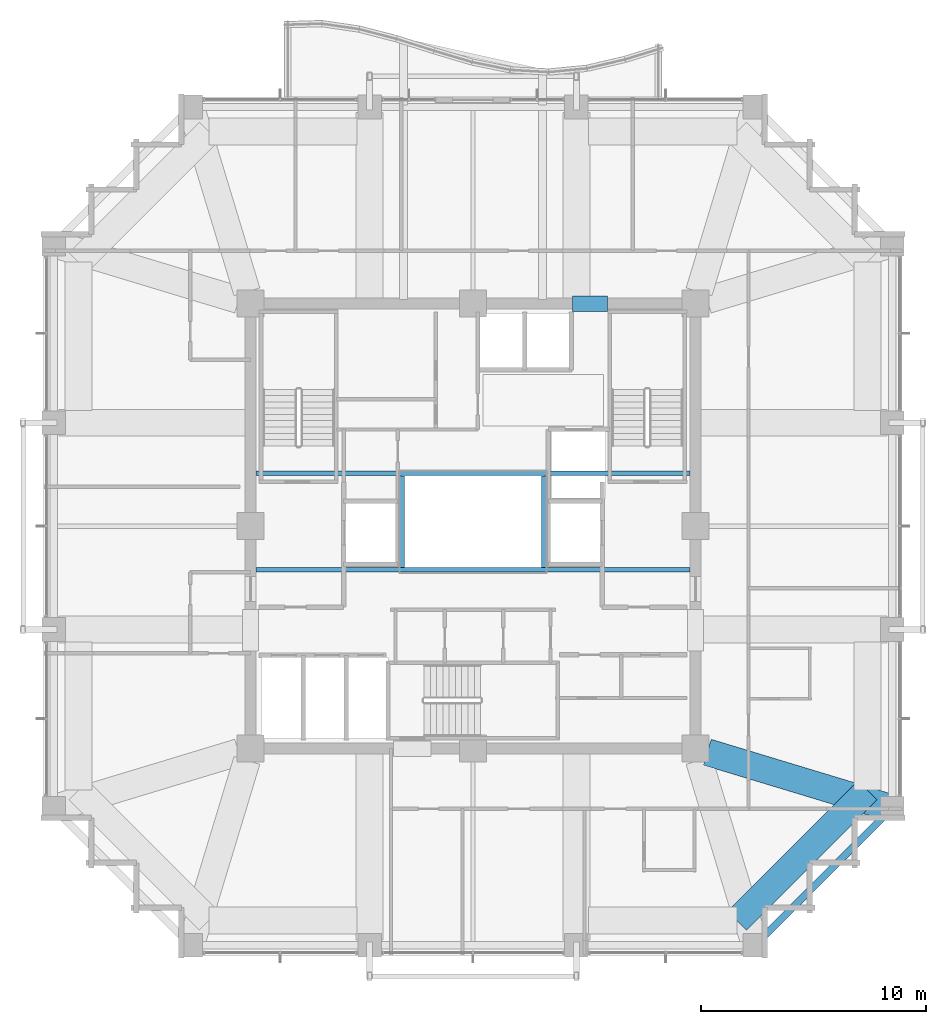
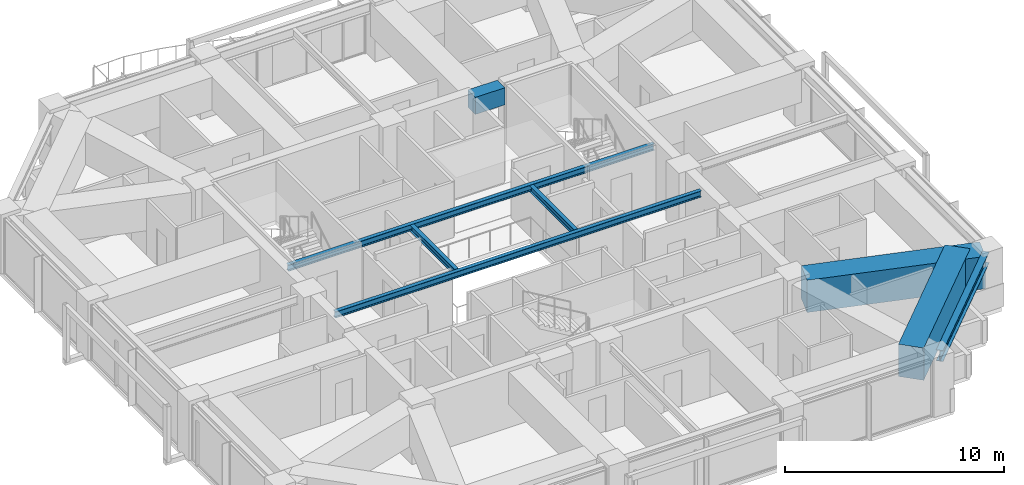
# One storey, part 10 of 28: 8 beams.
"""IFC4 building model written with IfcOpenShell, lengths in metres."""

from ifc_helpers import new_model, si_unit, direction, frame, origin, origin_2d, place, context, subcontext, project, spatial, rectangle, i_section, extrude, material, material_profile, profile_set, type_object, element, save


model = new_model("IFC4")

# Units and contexts
model_context = context("Model", 3, precision=1e-05, world=origin(), true_north=direction((0.0, 1.0)))
body_context = subcontext(model_context, "Body", "Model", "MODEL_VIEW")
ifc_project = project(units=[si_unit("LENGTHUNIT", "METRE"), si_unit("AREAUNIT", "SQUARE_METRE"), si_unit("VOLUMEUNIT", "CUBIC_METRE"), si_unit("PLANEANGLEUNIT", "RADIAN"), si_unit("MASSUNIT", "GRAM", prefix="KILO")], contexts=[model_context])

# Site, building, storey
site_placement = place(None, origin())
site = spatial("IfcSite", under=ifc_project, at=site_placement, CompositionType="ELEMENT")
building_placement = place(site_placement, origin())
building = spatial("IfcBuilding", under=site, at=building_placement, Name="Kolvaren Belvedere", CompositionType="ELEMENT")
storey_placement = place(building_placement, frame((0.0, 0.0, 125.0)))
storey = spatial("IfcBuildingStorey", under=building, at=storey_placement, Name="L36", CompositionType="ELEMENT", Elevation=125.0)

# Beams
ifc_material_1 = material(Name="Structural steel ASTM A992 Grade 50", Category="steel")
ifc_material_profile_1 = material_profile(ifc_material_1, i_section(OverallWidth=0.2041015625, OverallDepth=0.35009765625, WebThickness=0.008544921875, FlangeThickness=0.01513671875, FilletRadius=0.013916015625, at=origin_2d()), Name="W14X48")
ifc_profile_set_1 = profile_set([ifc_material_profile_1], Name="Structural steel ASTM A992 Grade 50")
beam_type_1 = type_object("IfcBeamType", Name="BM-ATRIUM-W14X48", PredefinedType="BEAM", material=ifc_profile_set_1)
for number, where, z_axis, x_axis, name in (
    (1, (-9.64990234375, -1.949951171875, 2.925048828125), (1.0, 0.0, 0.0), (0.0, 1.0, 0.0), "L36 Central Atrium South Girder AS"),
    (2, (-9.64990234375, 2.35009765625, 2.925048828125), (1.0, 0.0, 0.0), (0.0, 1.0, 0.0), "L36 Central Atrium North Girder AN"),
):
    element("IfcBeam", number, at=place(storey_placement, frame(where, z_axis=z_axis, x_axis=x_axis)), inside=storey, type_object=beam_type_1, Name=name, PredefinedType="BEAM", context=body_context, shape_type="SweptSolid", body=[
        extrude(i_section(OverallWidth=0.2041015625, OverallDepth=0.35009765625, WebThickness=0.008544921875, FlangeThickness=0.01513671875, FilletRadius=0.013916015625, at=origin_2d()), origin(), (0.0, 0.0, 1.0), 19.2998046875),
    ])
for number, where, z_axis, x_axis, name in (
    (3, (-3.14990234375, -1.840087890625, 2.925048828125), (0.0, 1.0, 0.0), (-1.0, 0.0, 0.0), "L36 Central Atrium West Edge Beam AW"),
    (4, (3.14990234375, -1.840087890625, 2.925048828125), (0.0, 1.0, 0.0), (-1.0, 0.0, 0.0), "L36 Central Atrium East Edge Beam AE"),
):
    element("IfcBeam", number, at=place(storey_placement, frame(where, z_axis=z_axis, x_axis=x_axis)), inside=storey, type_object=beam_type_1, Name=name, PredefinedType="BEAM", context=body_context, shape_type="SweptSolid", body=[
        extrude(i_section(OverallWidth=0.2041015625, OverallDepth=0.35009765625, WebThickness=0.008544921875, FlangeThickness=0.01513671875, FilletRadius=0.013916015625, at=origin_2d()), origin(), (0.0, 0.0, 1.0), 4.080078125),
    ])
ifc_material_2 = material(Name="Concrete C60/75", Category="concrete")
ifc_material_profile_2 = material_profile(ifc_material_2, rectangle(XDim=0.699951171875, YDim=0.949951171875, at=origin_2d()), Name="RC 700X950")
ifc_profile_set_2 = profile_set([ifc_material_profile_2], Name="Concrete C60/75")
beam_type_2 = type_object("IfcBeamType", Name="BM-LINT-950", PredefinedType="LINTEL", material=ifc_profile_set_2)
beam_1_placement = place(storey_placement, frame((4.419921875, 9.89990234375, 2.625), z_axis=(1.0, 0.0, 0.0), x_axis=(0.0, 1.0, 0.0)))
element("IfcBeam", 5, at=beam_1_placement, inside=storey, type_object=beam_type_2, Name="L36 North Core Coupling Lintel", PredefinedType="LINTEL", context=body_context, shape_type="SweptSolid", body=[
    extrude(rectangle(XDim=0.699951171875, YDim=0.949951171875, at=origin_2d()), origin(), (0.0, 0.0, 1.0), 1.56005859375),
])
ifc_material_3 = material(Name="Structural steel ASTM A992 Grade 50", Category="steel")
ifc_material_profile_3 = material_profile(ifc_material_3, i_section(OverallWidth=0.324951171875, OverallDepth=0.615966796875, WebThickness=0.013916015625, FlangeThickness=0.021484375, FilletRadius=0.02001953125, at=origin_2d()), Name="W24X117")
ifc_profile_set_3 = profile_set([ifc_material_profile_3], Name="Structural steel ASTM A992 Grade 50")
beam_type_3 = type_object("IfcBeamType", Name="BM-SPAN-W24X117", PredefinedType="SPANDREL", material=ifc_profile_set_3)
beam_2_placement = place(storey_placement, frame((12.717041015625, -18.48291015625, 2.7919921875), z_axis=(0.707106781187, 0.707106781187, 0.0), x_axis=(-0.707106781187, 0.707106781187, 0.0)))
element("IfcBeam", 6, at=beam_2_placement, inside=storey, type_object=beam_type_3, Name="L36 Perimeter Spandrel S4-E1", PredefinedType="SPANDREL", context=body_context, shape_type="SweptSolid", body=[
    extrude(i_section(OverallWidth=0.324951171875, OverallDepth=0.615966796875, WebThickness=0.013916015625, FlangeThickness=0.021484375, FilletRadius=0.02001953125, at=origin_2d()), origin(), (0.0, 0.0, 1.0), 8.154052734375),
])
ifc_material_4 = material(Name="Concrete C50/60", Category="concrete")
ifc_material_profile_4 = material_profile(ifc_material_4, rectangle(XDim=1.199951171875, YDim=1.800048828125, at=origin_2d()), Name="RC 1200X1800")
ifc_profile_set_4 = profile_set([ifc_material_profile_4], Name="Concrete C50/60")
beam_type_4 = type_object("IfcBeamType", Name="BM-TG-1800", PredefinedType="BEAM", material=ifc_profile_set_4)
beam_3_placement = place(storey_placement, frame((11.75, -17.550048828125, 2.199951171875), z_axis=(0.707106781187, 0.707106781187, 0.0), x_axis=(-0.707106781187, 0.707106781187, 0.0)))
element("IfcBeam", 7, at=beam_3_placement, inside=storey, type_object=beam_type_4, Name="L36 Step Transfer Ring Girder S4-E1", PredefinedType="BEAM", context=body_context, shape_type="SweptSolid", body=[
    extrude(rectangle(XDim=1.199951171875, YDim=1.800048828125, at=origin_2d()), origin(), (0.0, 0.0, 1.0), 8.202392578125),
])
beam_4_placement = place(storey_placement, frame((10.426513671875, -10.059326171875, 2.199951171875), z_axis=(0.957069465398, -0.289858652454, 0.0), x_axis=(0.289858652454, 0.957069465398, 0.0)))
element("IfcBeam", 8, at=beam_4_placement, inside=storey, type_object=beam_type_4, Name="L36 Corner Core-to-Perimeter Girder CC2-E1", PredefinedType="BEAM", context=body_context, shape_type="SweptSolid", body=[
    extrude(rectangle(XDim=1.199951171875, YDim=1.800048828125, at=origin_2d()), origin(), (0.0, 0.0, 1.0), 8.38232421875),
])

save(model, "model.ifc")
